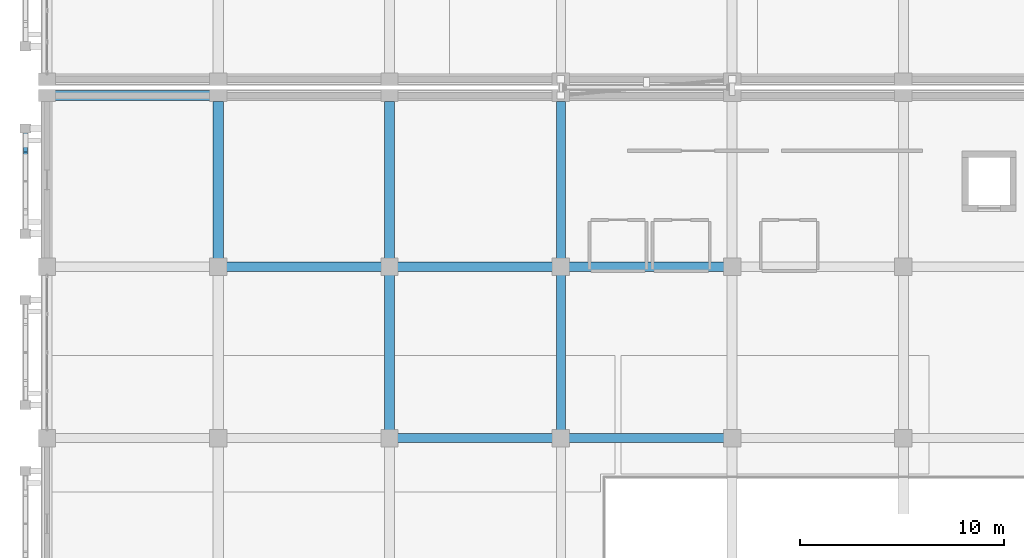
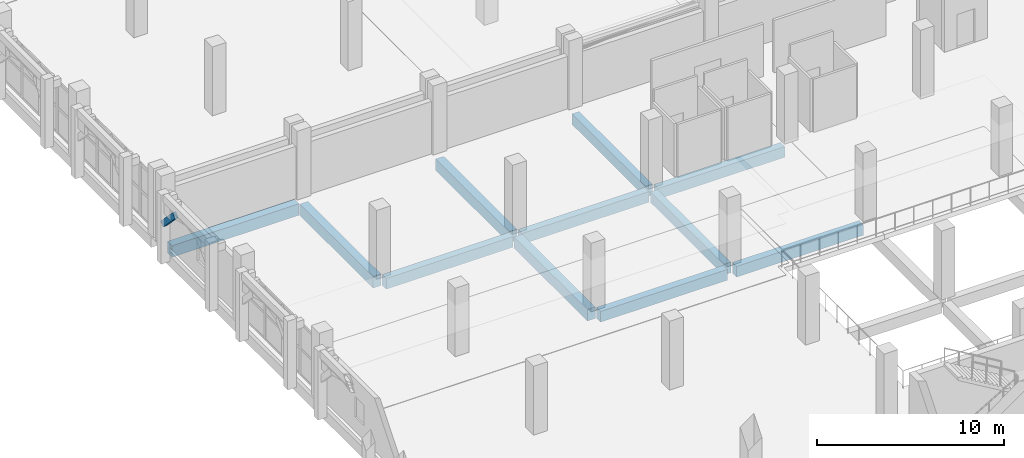
# One storey, part 21 of 137: 11 beams, 1 member.
"""IFC4 building model written with IfcOpenShell, lengths in metres."""

from ifc_helpers import new_model, si_unit, direction, frame, origin, origin_2d, place, context, subcontext, project, spatial, rectangle, extrude, material, material_profile, profile_set, type_object, element, save


model = new_model("IFC4")

# Units and contexts
model_context = context("Model", 3, precision=1e-05, world=origin(), true_north=direction((0.0, 1.0)))
body_context = subcontext(model_context, "Body", "Model", "MODEL_VIEW")
ifc_project = project(units=[si_unit("LENGTHUNIT", "METRE"), si_unit("AREAUNIT", "SQUARE_METRE"), si_unit("VOLUMEUNIT", "CUBIC_METRE"), si_unit("PLANEANGLEUNIT", "RADIAN"), si_unit("MASSUNIT", "GRAM", prefix="KILO")], contexts=[model_context])

# Site, building, storey
site_placement = place(None, origin())
site = spatial("IfcSite", under=ifc_project, at=site_placement, CompositionType="ELEMENT")
building_placement = place(site_placement, origin())
building = spatial("IfcBuilding", under=site, at=building_placement, Name="Xazarin Passage Department Store", CompositionType="ELEMENT")
storey_placement = place(building_placement, frame((0.0, 0.0, 5.39990234375)))
storey = spatial("IfcBuildingStorey", under=building, at=storey_placement, Name="L01", CompositionType="ELEMENT", Elevation=5.39990234375)

# Beams
ifc_material_1 = material(Name="Concrete C35/45", Category="concrete")
ifc_material_profile_1 = material_profile(ifc_material_1, rectangle(XDim=0.449951171875, YDim=0.699951171875, at=origin_2d()), Name="RC 450x700")
ifc_profile_set_1 = profile_set([ifc_material_profile_1], Name="Concrete C35/45")
beam_type_1 = type_object("IfcBeamType", Name="STR-BM-G450x700", PredefinedType="BEAM", material=ifc_profile_set_1)
beam_1_placement = place(storey_placement, frame((17.080078125, 33.60009765625, -0.669921875), z_axis=(1.0, 0.0, 0.0), x_axis=(0.0, 1.0, 0.0)))
element("IfcBeam", 1, at=beam_1_placement, inside=storey, type_object=beam_type_1, Name="L01 Grid Beam E/3-4", PredefinedType="BEAM", context=body_context, shape_type="SweptSolid", body=[
    extrude(rectangle(XDim=0.449951171875, YDim=0.699951171875, at=origin_2d()), origin(), (0.0, 0.0, 1.0), 7.83984375),
])
for number, where, z_axis, x_axis, name in (
    (2, (25.47998046875, 33.60009765625, -0.669921875), (1.0, 0.0, 0.0), (0.0, 1.0, 0.0), "L01 Grid Beam E/4-5"),
    (3, (8.679931640625, 42.0, -0.669921875), (1.0, 0.0, 0.0), (0.0, 1.0, 0.0), "L01 Grid Beam F/2-3"),
):
    element("IfcBeam", number, at=place(storey_placement, frame(where, z_axis=z_axis, x_axis=x_axis)), inside=storey, type_object=beam_type_1, Name=name, PredefinedType="BEAM", context=body_context, shape_type="SweptSolid", body=[
        extrude(rectangle(XDim=0.449951171875, YDim=0.699951171875, at=origin_2d()), origin(), (0.0, 0.0, 1.0), 7.840087890625),
    ])
beam_2_placement = place(storey_placement, frame((17.080078125, 42.0, -0.669921875), z_axis=(1.0, 0.0, 0.0), x_axis=(0.0, 1.0, 0.0)))
element("IfcBeam", 4, at=beam_2_placement, inside=storey, type_object=beam_type_1, Name="L01 Grid Beam F/3-4", PredefinedType="BEAM", context=body_context, shape_type="SweptSolid", body=[
    extrude(rectangle(XDim=0.449951171875, YDim=0.699951171875, at=origin_2d()), origin(), (0.0, 0.0, 1.0), 7.83984375),
])
for number, where, z_axis, x_axis, name in (
    (5, (25.47998046875, 42.0, -0.669921875), (1.0, 0.0, 0.0), (0.0, 1.0, 0.0), "L01 Grid Beam F/4-5"),
    (6, (25.199951171875, 33.8798828125, -0.669921875), (0.0, 1.0, 0.0), (-1.0, 0.0, 0.0), "L01 Grid Beam 4/E-F"),
    (7, (25.199951171875, 42.280029296875, -0.669921875), (0.0, 1.0, 0.0), (-1.0, 0.0, 0.0), "L01 Grid Beam 4/F-G"),
):
    element("IfcBeam", number, at=place(storey_placement, frame(where, z_axis=z_axis, x_axis=x_axis)), inside=storey, type_object=beam_type_1, Name=name, PredefinedType="BEAM", context=body_context, shape_type="SweptSolid", body=[
        extrude(rectangle(XDim=0.449951171875, YDim=0.699951171875, at=origin_2d()), origin(), (0.0, 0.0, 1.0), 7.840087890625),
    ])
ifc_material_profile_2 = material_profile(ifc_material_1, rectangle(XDim=0.5, YDim=0.75, at=origin_2d()), Name="RC 500x750")
ifc_profile_set_2 = profile_set([ifc_material_profile_2], Name="Concrete C35/45")
beam_type_2 = type_object("IfcBeamType", Name="STR-BM-SP500x750", PredefinedType="SPANDREL", material=ifc_profile_set_2)
for number, where, z_axis, x_axis, name in (
    (8, (0.280029296875, 50.39990234375, -0.69482421875), (1.0, 0.0, 0.0), (0.0, 1.0, 0.0), "L01 Grid Beam G/1-2"),
    (9, (8.39990234375, 42.280029296875, -0.69482421875), (0.0, 1.0, 0.0), (-1.0, 0.0, 0.0), "L01 Grid Beam 2/F-G"),
    (10, (16.800048828125, 33.8798828125, -0.69482421875), (0.0, 1.0, 0.0), (-1.0, 0.0, 0.0), "L01 Grid Beam 3/E-F"),
    (11, (16.800048828125, 42.280029296875, -0.69482421875), (0.0, 1.0, 0.0), (-1.0, 0.0, 0.0), "L01 Grid Beam 3/F-G"),
):
    element("IfcBeam", number, at=place(storey_placement, frame(where, z_axis=z_axis, x_axis=x_axis)), inside=storey, type_object=beam_type_2, Name=name, PredefinedType="SPANDREL", context=body_context, shape_type="SweptSolid", body=[
        extrude(rectangle(XDim=0.5, YDim=0.75, at=origin_2d()), origin(), (0.0, 0.0, 1.0), 7.840087890625),
    ])

# Member
ifc_material_2 = material(Name="Concrete C40/50", Category="concrete")
ifc_material_profile_3 = material_profile(ifc_material_2, rectangle(XDim=0.199951171875, YDim=0.360107421875, at=origin_2d()), Name="RC 200x360")
ifc_profile_set_3 = profile_set([ifc_material_profile_3], Name="Concrete C40/50")
member_type = type_object("IfcMemberType", Name="STR-MEM-ARC360", PredefinedType="CHORD", material=ifc_profile_set_3)
member_placement = place(storey_placement, frame((-1.050048828125, 47.489990234375, 3.7705078125), z_axis=(0.0, 0.693460080602, -0.720495049679), x_axis=(-1.0, 0.0, 0.0)))
element("IfcMember", 12, at=member_placement, inside=storey, type_object=member_type, Name="L01 V3 Pierced Lattice Curved Arch 037.4", PredefinedType="CHORD", context=body_context, shape_type="SweptSolid", body=[
    extrude(rectangle(XDim=0.199951171875, YDim=0.360107421875, at=origin_2d()), origin(), (0.0, 0.0, 1.0), 1.8603515625),
])

save(model, "model.ifc")
